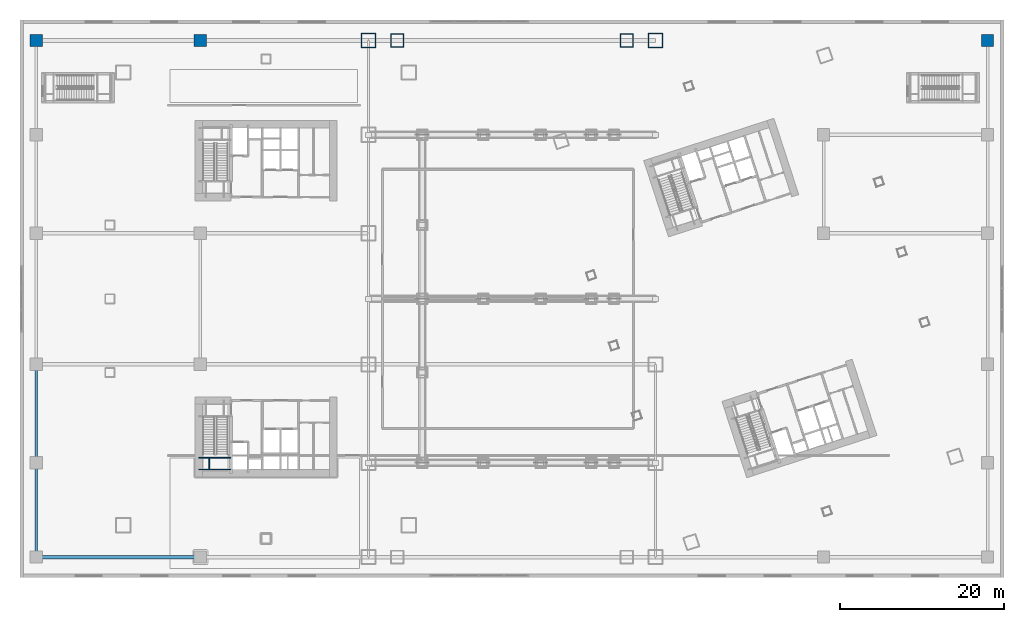
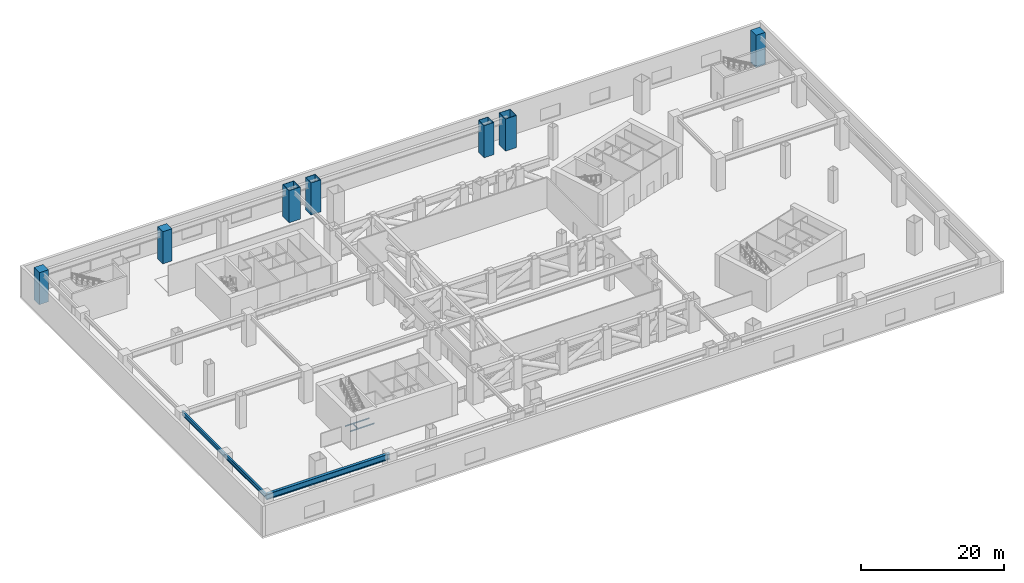
# One storey, part 3 of 34: 7 columns, 6 beams.
"""IFC4 building model written with IfcOpenShell, lengths in metres."""

from ifc_helpers import new_model, si_unit, direction, frame, origin, origin_2d, place, context, subcontext, project, spatial, rectangle, hollow_rectangle, i_section, extrude, material, material_profile, profile_set, type_object, element, save


model = new_model("IFC4")

# Units and contexts
model_context = context("Model", 3, precision=1e-05, world=origin(), true_north=direction((0.0, 1.0)))
body_context = subcontext(model_context, "Body", "Model", "MODEL_VIEW")
ifc_project = project(units=[si_unit("LENGTHUNIT", "METRE"), si_unit("AREAUNIT", "SQUARE_METRE"), si_unit("VOLUMEUNIT", "CUBIC_METRE"), si_unit("PLANEANGLEUNIT", "RADIAN"), si_unit("MASSUNIT", "GRAM", prefix="KILO")], contexts=[model_context])

# Site, building, storey
site_placement = place(None, origin())
site = spatial("IfcSite", under=ifc_project, at=site_placement, CompositionType="ELEMENT")
building_placement = place(site_placement, origin())
building = spatial("IfcBuilding", under=site, at=building_placement, Name="Qiaolan Cultural Towers", CompositionType="ELEMENT")
storey_placement = place(building_placement, frame((0.0, 0.0, 16.5)))
storey = spatial("IfcBuildingStorey", under=building, at=storey_placement, Name="L03", CompositionType="ELEMENT", Elevation=16.5)

# Columns
ifc_material_1 = material(Name="Steel Q420GJB", Category="steel")
ifc_material_profile_1 = material_profile(ifc_material_1, hollow_rectangle(XDim=1.60009765625, YDim=1.60009765625, WallThickness=0.054931640625, at=origin_2d()), Name="BOX1600x1600x55")
ifc_profile_set_1 = profile_set([ifc_material_profile_1], Name="Steel Q420GJB")
column_type_1 = type_object("IfcColumnType", Name="COL-BOX1600x1600x55", PredefinedType="COLUMN", material=ifc_profile_set_1)
for number, where, z_axis, x_axis, name in (
    (1, (46.0, 65.5, 0.0), (0.0, 0.0, 1.0), (1.0, 0.0, 0.0), "L03 Podium Column PC-MID-46-65"),
    (2, (74.0, 65.5, 0.0), (0.0, 0.0, 1.0), (1.0, 0.0, 0.0), "L03 Podium Column PC-MID-74-65"),
):
    element("IfcColumn", number, at=place(storey_placement, frame(where, z_axis=z_axis, x_axis=x_axis)), inside=storey, type_object=column_type_1, Name=name, PredefinedType="COLUMN", context=body_context, shape_type="SweptSolid", body=[
        extrude(hollow_rectangle(XDim=1.60009765625, YDim=1.60009765625, WallThickness=0.054931640625, at=origin_2d()), origin(), (0.0, 0.0, 1.0), 5.5009765625),
    ])
ifc_material_2 = material(Name="Steel Q420GJB", Category="steel")
ifc_material_profile_2 = material_profile(ifc_material_2, hollow_rectangle(XDim=1.800048828125, YDim=1.800048828125, WallThickness=0.06005859375, at=origin_2d()), Name="BOX1800x1800x60")
ifc_profile_set_2 = profile_set([ifc_material_profile_2], Name="Steel Q420GJB")
column_type_2 = type_object("IfcColumnType", Name="COL-BOX1800x1800x60", PredefinedType="COLUMN", material=ifc_profile_set_2)
for number, where, z_axis, x_axis, name in (
    (3, (42.5, 65.5, 0.0), (0.0, 0.0, 1.0), (1.0, 0.0, 0.0), "L03 Podium Column PC-42-65"),
    (4, (77.5, 65.5, 0.0), (0.0, 0.0, 1.0), (1.0, 0.0, 0.0), "L03 Podium Column PC-77-65"),
):
    element("IfcColumn", number, at=place(storey_placement, frame(where, z_axis=z_axis, x_axis=x_axis)), inside=storey, type_object=column_type_2, Name=name, PredefinedType="COLUMN", context=body_context, shape_type="SweptSolid", body=[
        extrude(hollow_rectangle(XDim=1.800048828125, YDim=1.800048828125, WallThickness=0.06005859375, at=origin_2d()), origin(), (0.0, 0.0, 1.0), 5.5009765625),
    ])
ifc_material_3 = material(Name="Concrete C60", Category="concrete")
ifc_material_profile_3 = material_profile(ifc_material_3, rectangle(XDim=1.5, YDim=1.5, at=origin_2d()), Name="RC1500x1500")
ifc_profile_set_3 = profile_set([ifc_material_profile_3], Name="Concrete C60")
column_type_3 = type_object("IfcColumnType", Name="COL-RC1500x1500", PredefinedType="COLUMN", material=ifc_profile_set_3)
for number, where, z_axis, x_axis, name in (
    (5, (2.0, 65.5, 0.0), (0.0, 0.0, 1.0), (1.0, 0.0, 0.0), "L03 Podium Column PC-2-65"),
    (6, (22.0, 65.5, 0.0), (0.0, 0.0, 1.0), (1.0, 0.0, 0.0), "L03 Podium Column PC-22-65"),
    (7, (118.0, 65.5, 0.0), (0.0, 0.0, 1.0), (1.0, 0.0, 0.0), "L03 Podium Column PC-118-65"),
):
    element("IfcColumn", number, at=place(storey_placement, frame(where, z_axis=z_axis, x_axis=x_axis)), inside=storey, type_object=column_type_3, Name=name, PredefinedType="COLUMN", context=body_context, shape_type="SweptSolid", body=[
        extrude(rectangle(XDim=1.5, YDim=1.5, at=origin_2d()), origin(), (0.0, 0.0, 1.0), 5.5009765625),
    ])

# Beams
ifc_material_4 = material(Name="Steel Q390GJB", Category="steel")
ifc_material_profile_4 = material_profile(ifc_material_4, i_section(OverallWidth=0.449951171875, OverallDepth=1.0, WebThickness=0.02392578125, FlangeThickness=0.0400390625, at=origin_2d()), Name="BH1000x450x24x40")
ifc_profile_set_4 = profile_set([ifc_material_profile_4], Name="Steel Q390GJB")
beam_type_1 = type_object("IfcBeamType", Name="BM-BH1000x450x24x40", PredefinedType="BEAM", material=ifc_profile_set_4)
beam_1_placement = place(storey_placement, frame((2.0, 2.5, 4.699951171875), z_axis=(1.0, 0.0, 0.0), x_axis=(0.0, 1.0, 0.0)))
element("IfcBeam", 8, at=beam_1_placement, inside=storey, type_object=beam_type_1, Name="L03 Podium Primary Girder Y=2.5", PredefinedType="BEAM", context=body_context, shape_type="SweptSolid", body=[
    extrude(i_section(OverallWidth=0.449951171875, OverallDepth=1.0, WebThickness=0.02392578125, FlangeThickness=0.0400390625, at=origin_2d()), origin(), (0.0, 0.0, 1.0), 20.0),
])
ifc_material_5 = material(Name="Steel Q355B", Category="steel")
ifc_material_profile_5 = material_profile(ifc_material_5, i_section(OverallWidth=0.300048828125, OverallDepth=0.699951171875, WebThickness=0.012939453125, FlangeThickness=0.02392578125, at=origin_2d()), Name="HN700x300x13x24")
ifc_profile_set_5 = profile_set([ifc_material_profile_5], Name="Steel Q355B")
beam_type_2 = type_object("IfcBeamType", Name="BM-HN700x300x13x24", PredefinedType="BEAM", material=ifc_profile_set_5)
beam_2_placement = place(storey_placement, frame((2.0, 2.5, 4.85009765625), z_axis=(0.0, 1.0, 0.0), x_axis=(-1.0, 0.0, 0.0)))
element("IfcBeam", 9, at=beam_2_placement, inside=storey, type_object=beam_type_2, Name="L03 Podium Transverse Beam X=2.0", PredefinedType="BEAM", context=body_context, shape_type="SweptSolid", body=[
    extrude(i_section(OverallWidth=0.300048828125, OverallDepth=0.699951171875, WebThickness=0.012939453125, FlangeThickness=0.02392578125, at=origin_2d()), origin(), (0.0, 0.0, 1.0), 11.5),
])
beam_3_placement = place(storey_placement, frame((2.0, 14.0, 4.85009765625), z_axis=(0.0, 1.0, 0.0), x_axis=(-1.0, 0.0, 0.0)))
element("IfcBeam", 10, at=beam_3_placement, inside=storey, type_object=beam_type_2, Name="L03 Podium Transverse Beam X=2.0", PredefinedType="BEAM", context=body_context, shape_type="SweptSolid", body=[
    extrude(i_section(OverallWidth=0.300048828125, OverallDepth=0.699951171875, WebThickness=0.012939453125, FlangeThickness=0.02392578125, at=origin_2d()), origin(), (0.0, 0.0, 1.0), 12.0),
])
ifc_material_6 = material(Name="Steel Q355B", Category="steel")
ifc_material_profile_6 = material_profile(ifc_material_6, i_section(OverallWidth=0.10009765625, OverallDepth=0.199951171875, WebThickness=0.005615234375, FlangeThickness=0.008056640625, at=origin_2d()), Name="HN200x100x5.5x8")
ifc_profile_set_6 = profile_set([ifc_material_profile_6], Name="Steel Q355B")
beam_type_3 = type_object("IfcBeamType", Name="BM-STTRIM-200", PredefinedType="BEAM", material=ifc_profile_set_6)
for number, where, z_axis, x_axis, name in (
    (11, (21.800048828125, 14.611328125, 2.449951171875), (1.0, 0.0, 0.0), (0.0, 1.0, 0.0), "L03 ST-W1 Stair Landing Support Beam 1-1"),
    (12, (21.800048828125, 13.179931640625, 2.449951171875), (1.0, 0.0, 0.0), (0.0, 1.0, 0.0), "L03 ST-W1 Stair Landing Support Beam 1-2"),
):
    element("IfcBeam", number, at=place(storey_placement, frame(where, z_axis=z_axis, x_axis=x_axis)), inside=storey, type_object=beam_type_3, Name=name, PredefinedType="BEAM", context=body_context, shape_type="SweptSolid", body=[
        extrude(i_section(OverallWidth=0.10009765625, OverallDepth=0.199951171875, WebThickness=0.005615234375, FlangeThickness=0.008056640625, at=origin_2d()), origin(), (0.0, 0.0, 1.0), 3.919921875),
    ])
beam_4_placement = place(storey_placement, frame((23.070068359375, 14.611328125, 2.449951171875), z_axis=(0.0, -1.0, 0.0), x_axis=(1.0, 0.0, 0.0)))
element("IfcBeam", 13, at=beam_4_placement, inside=storey, type_object=beam_type_3, Name="L03 ST-W1 Stair Landing Trimmer 1", PredefinedType="BEAM", context=body_context, shape_type="SweptSolid", body=[
    extrude(i_section(OverallWidth=0.10009765625, OverallDepth=0.199951171875, WebThickness=0.005615234375, FlangeThickness=0.008056640625, at=origin_2d()), origin(), (0.0, 0.0, 1.0), 1.431396484375),
])

save(model, "model.ifc")
